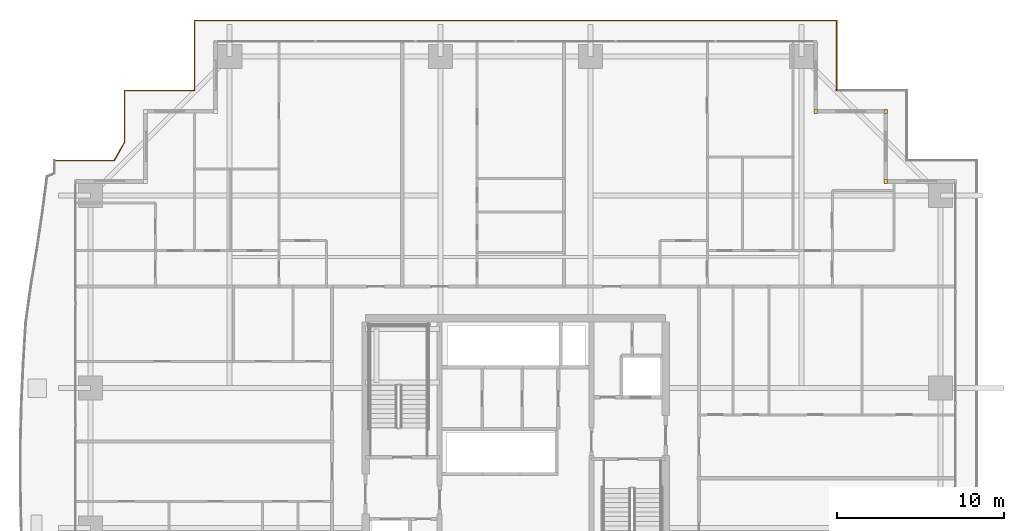
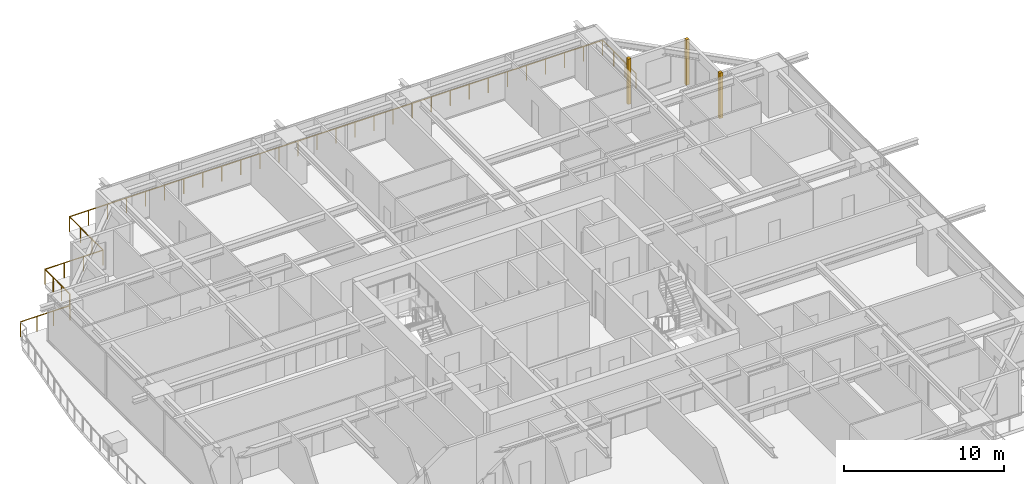
# One storey, part 39 of 39: 3 coverings, 1 railing.
"""IFC4 building model written with IfcOpenShell, lengths in metres."""

import ifcopenshell
import ifcopenshell.guid

model = None  # the IFC model being written
_history = None  # IfcOwnerHistory: only IFC2X3 demands one
_inside = {}  # id of a spatial element -> (the spatial element, [elements in it])
_under = {}  # id of a project, library or spatial element -> (it, [spatial elements below it])
_declared = {}  # id of a project -> (the project, [libraries it declares])
_typed = {}  # id of a type object -> (the type object, [elements of that type])
_made_of = {}  # id of a material, layer set ... -> (it, [elements and type objects made of it])


def new_model(schema):
    """Start an empty IFC model of exactly this schema.

    Asked for "IFC4X3", IfcOpenShell would pick the latest addendum, in which some entities
    have other attributes; the version numbers below select the first issue.
    IFC2X3 requires an IfcOwnerHistory on every rooted entity: one is made here for all.
    """
    global model, _history
    if schema == "IFC4X3":
        model = ifcopenshell.file(schema_version=(4, 3, 0, 0))
    else:
        model = ifcopenshell.file(schema=schema)
    _inside.clear()
    _under.clear()
    _declared.clear()
    _typed.clear()
    _made_of.clear()
    _history = None
    if model.schema == "IFC2X3":
        org = make("IfcOrganization", Name="unknown")
        user = make(
            "IfcPersonAndOrganization",
            ThePerson=make("IfcPerson", FamilyName="unknown"),
            TheOrganization=org,
        )
        app = make(
            "IfcApplication",
            ApplicationDeveloper=org,
            Version="unknown",
            ApplicationFullName="unknown",
            ApplicationIdentifier="unknown",
        )
        _history = make(
            "IfcOwnerHistory",
            OwningUser=user,
            OwningApplication=app,
            ChangeAction="ADDED",
            CreationDate=0,
        )
    return model


def make(cls, **values):
    """One entity of the class cls with the attributes given. An attribute that is None is left unset."""
    return model.create_entity(
        cls, **{name: value for name, value in values.items() if value is not None}
    )


def rooted(cls, **values):
    """An entity with a GlobalId (a new one), such as an element, a storey or a relation."""
    return make(cls, GlobalId=ifcopenshell.guid.new(), OwnerHistory=_history, **values)


def si_unit(unit_type, name, prefix=None):
    """IfcSIUnit, for example si_unit("LENGTHUNIT", "METRE", prefix="MILLI")."""
    return make("IfcSIUnit", UnitType=unit_type, Prefix=prefix, Name=name)


def assignment(units):
    """IfcUnitAssignment: the units of a project."""
    return None if units is None else make("IfcUnitAssignment", Units=units)


def point(xyz):
    """IfcCartesianPoint."""
    return None if xyz is None else make("IfcCartesianPoint", Coordinates=xyz)


def direction(xyz):
    """IfcDirection."""
    return None if xyz is None else make("IfcDirection", DirectionRatios=xyz)


def frame(location, z_axis=None, x_axis=None):
    """IfcAxis2Placement3D, a coordinate frame: its origin and axes. An axis left out is left unset."""
    return make(
        "IfcAxis2Placement3D",
        Location=point(location),
        Axis=direction(z_axis),
        RefDirection=direction(x_axis),
    )


def frame_2d(location, x_axis=None):
    """IfcAxis2Placement2D, a coordinate frame in the plane: its origin and x axis."""
    return make(
        "IfcAxis2Placement2D", Location=point(location), RefDirection=direction(x_axis)
    )


def origin():
    """The frame at (0, 0, 0) with its axes left unset."""
    return frame((0.0, 0.0, 0.0))


def origin_2d():
    """The frame at (0, 0) in the plane with its x axis left unset."""
    return frame_2d((0.0, 0.0))


def place(relative_to, where):
    """IfcLocalPlacement: puts the frame where relative to a parent placement (None: the world)."""
    return make(
        "IfcLocalPlacement", PlacementRelTo=relative_to, RelativePlacement=where
    )


def context(
    kind, dimensions, precision=None, world=None, true_north=None, identifier=None
):
    """IfcGeometricRepresentationContext, for example the 3D "Model" context."""
    return make(
        "IfcGeometricRepresentationContext",
        ContextIdentifier=identifier,
        ContextType=kind,
        CoordinateSpaceDimension=dimensions,
        Precision=precision,
        WorldCoordinateSystem=world,
        TrueNorth=true_north,
    )


def subcontext(parent, identifier, kind, view, scale=None):
    """IfcGeometricRepresentationSubContext, for example "Body" below "Model"."""
    return make(
        "IfcGeometricRepresentationSubContext",
        ContextIdentifier=identifier,
        ContextType=kind,
        ParentContext=parent,
        TargetScale=scale,
        TargetView=view,
    )


def project(units=None, contexts=None):
    """IfcProject with its units and contexts."""
    return rooted(
        "IfcProject",
        Name="project",
        RepresentationContexts=contexts,
        UnitsInContext=assignment(units),
    )


def spatial(cls, under=None, at=None, **own):
    """A site, building, storey or space (cls), placed at a placement, below another one or the project."""
    s = rooted(cls, ObjectPlacement=at, **own)
    if under is not None:
        _under.setdefault(under.id(), (under, []))[1].append(s)
    return s


def profile(cls, at=None, kind="AREA", **sizes):
    """A parametric profile (cls). Its sizes go by their IFC names, for example OverallWidth=200.0."""
    return make(cls, ProfileType=kind, Position=at, **sizes)


def rectangle(**sizes):
    """IfcRectangleProfileDef."""
    return profile("IfcRectangleProfileDef", **sizes)


def circle(**sizes):
    """IfcCircleProfileDef."""
    return profile("IfcCircleProfileDef", **sizes)


def extrude(swept, where, along, depth):
    """IfcExtrudedAreaSolid: the profile swept, set in the frame where, extruded along a direction by depth."""
    return make(
        "IfcExtrudedAreaSolid",
        SweptArea=swept,
        Position=where,
        ExtrudedDirection=direction(along),
        Depth=depth,
    )


def shape(context_of_items, identifier, shape_type, items):
    """IfcShapeRepresentation: the items that make up one representation, for example the "Body"."""
    return make(
        "IfcShapeRepresentation",
        ContextOfItems=context_of_items,
        RepresentationIdentifier=identifier,
        RepresentationType=shape_type,
        Items=items,
    )


def source(mapping_origin, context_of_items, identifier, shape_type, items):
    """IfcRepresentationMap: a shape defined once, which mapped items show again and again."""
    return make(
        "IfcRepresentationMap",
        MappingOrigin=mapping_origin,
        MappedRepresentation=shape(context_of_items, identifier, shape_type, items),
    )


def transform(
    local_origin,
    x_axis=None,
    y_axis=None,
    z_axis=None,
    scale=None,
    scale2=None,
    scale3=None,
    uniform=True,
):
    """IfcCartesianTransformationOperator3D, or its non-uniform kind. x_axis, y_axis, z_axis: its Axis1, 2, 3."""
    if uniform:
        return make(
            "IfcCartesianTransformationOperator3D",
            Axis1=direction(x_axis),
            Axis2=direction(y_axis),
            LocalOrigin=point(local_origin),
            Scale=scale,
            Axis3=direction(z_axis),
        )
    return make(
        "IfcCartesianTransformationOperator3DnonUniform",
        Axis1=direction(x_axis),
        Axis2=direction(y_axis),
        LocalOrigin=point(local_origin),
        Scale=scale,
        Axis3=direction(z_axis),
        Scale2=scale2,
        Scale3=scale3,
    )


def mapped(mapping_source, mapping_target):
    """IfcMappedItem: shows the shape of a source again, moved by a transform."""
    return make(
        "IfcMappedItem", MappingSource=mapping_source, MappingTarget=mapping_target
    )


def material(Name=None, Category=None):
    """IfcMaterial."""
    return make("IfcMaterial", Name=Name, Category=Category)


def layer(
    of_material, thickness, ventilated=None, Name=None, Category=None, Priority=None
):
    """IfcMaterialLayer: one layer of a wall or slab, of a material (None: an air gap)."""
    return make(
        "IfcMaterialLayer",
        Material=of_material,
        LayerThickness=thickness,
        IsVentilated=ventilated,
        Name=Name,
        Category=Category,
        Priority=Priority,
    )


def layer_set(layers, Name=None):
    """IfcMaterialLayerSet."""
    return make("IfcMaterialLayerSet", MaterialLayers=layers, LayerSetName=Name)


def made_of(thing, what):
    """Note that an element or type object is made of a material, layer set ...; save() writes the relation."""
    if what is not None:
        _made_of.setdefault(what.id(), (what, []))[1].append(thing)
    return thing


def type_object(cls, material=None, **own):
    """A type object (cls), such as IfcWallType, which elements share."""
    return made_of(rooted(cls, **own), material)


def element(
    cls,
    number,
    at=None,
    inside=None,
    cuts=None,
    type_object=None,
    material=None,
    context=None,
    identifier="Body",
    shape_type=None,
    held_by="IfcProductDefinitionShape",
    body=None,
    shapes=None,
    **own,
):
    """One element of the class cls, such as IfcWall. Its Tag is "e" and its number.

    at: its placement. inside: the storey or other place that contains it. cuts: it is an
    opening in that element (IfcRelVoidsElement). A single representation is given by context,
    identifier, shape_type and body (its items); several are given by shapes. held_by: the class
    of the entity that holds the representations. save() writes the other relations.
    """
    e = rooted(cls, Tag="e%d" % number, ObjectPlacement=at, **own)
    if body is not None:
        shapes = [shape(context, identifier, shape_type, body)]
    if shapes is not None:
        e.Representation = make(held_by, Representations=shapes)
    if inside is not None:
        _inside.setdefault(inside.id(), (inside, []))[1].append(e)
    if cuts is not None:
        rooted(
            "IfcRelVoidsElement", RelatingBuildingElement=cuts, RelatedOpeningElement=e
        )
    if type_object is not None:
        _typed.setdefault(type_object.id(), (type_object, []))[1].append(e)
    return made_of(e, material)


def aggregate(whole, parts):
    """IfcRelAggregates: a whole, such as a stair, and the parts it consists of."""
    return rooted("IfcRelAggregates", RelatingObject=whole, RelatedObjects=parts)


def save(model, path):
    """Write the relations noted so far, then the file.

    IfcRelAggregates (storeys below a building ...), IfcRelContainedInSpatialStructure (elements
    in a storey), IfcRelDefinesByType, IfcRelAssociatesMaterial and IfcRelDeclares: one each for
    every whole, place, type object, material and project.
    """
    for whole, parts in _under.values():
        aggregate(whole, parts)
    for where, things in _inside.values():
        rooted(
            "IfcRelContainedInSpatialStructure",
            RelatedElements=things,
            RelatingStructure=where,
        )
    for kind, things in _typed.values():
        rooted("IfcRelDefinesByType", RelatedObjects=things, RelatingType=kind)
    for what, things in _made_of.values():
        rooted("IfcRelAssociatesMaterial", RelatedObjects=things, RelatingMaterial=what)
    for by, libraries in _declared.values():
        rooted("IfcRelDeclares", RelatingContext=by, RelatedDefinitions=libraries)
    model.write(path)


model = new_model("IFC4")

# Units and contexts
model_context = context("Model", 3, precision=1e-05, world=origin(), true_north=direction((0.0, 1.0)))
body_context = subcontext(model_context, "Body", "Model", "MODEL_VIEW")
ifc_project = project(units=[si_unit("LENGTHUNIT", "METRE"), si_unit("AREAUNIT", "SQUARE_METRE"), si_unit("VOLUMEUNIT", "CUBIC_METRE"), si_unit("PLANEANGLEUNIT", "RADIAN"), si_unit("MASSUNIT", "GRAM", prefix="KILO")], contexts=[model_context])

# Site, building, storey
site_placement = place(None, origin())
site = spatial("IfcSite", under=ifc_project, at=site_placement, CompositionType="ELEMENT")
building_placement = place(site_placement, origin())
building = spatial("IfcBuilding", under=site, at=building_placement, Name="Serunith Strait Residences", CompositionType="ELEMENT")
storey_placement = place(building_placement, frame((0.0, 0.0, 60.449951171875)))
storey = spatial("IfcBuildingStorey", under=building, at=storey_placement, Name="L14", CompositionType="ELEMENT", Elevation=60.449951171875)

# Railing
ifc_material_1 = material(Name="Stainless Steel & Laminated Glass Balustrade", Category="steel")
railing_type = type_object("IfcRailingType", Name="RLG-BALC-1150", PredefinedType="BALUSTRADE", material=ifc_material_1)
railing_placement = place(storey_placement, frame((4.739990234375, 43.06005859375, -0.050048828125)))
element("IfcRailing", 1, at=railing_placement, inside=storey, type_object=railing_type, Name="L14 Swirling Balcony Perimeter Balustrade 4", PredefinedType="BALUSTRADE", context=body_context, shape_type="SweptSolid", body=[
    extrude(circle(Radius=0.02392578125, at=origin_2d()), frame((0.001953125, 0.0, 1.1259765625), z_axis=(1.0, 0.0, 0.0), x_axis=(0.0, 1.0, 0.0)), (0.0, 0.0, 1.0), 3.57763671875),
    extrude(circle(Radius=0.02392578125, at=origin_2d()), frame((3.58251953125, 0.001708984375, 1.1259765625), z_axis=(0.494016109203, 0.869452749635, 0.0), x_axis=(-0.869452749635, 0.494016109203, 0.0)), (0.0, 0.0, 1.0), 1.247802734375),
    extrude(circle(Radius=0.02392578125, at=origin_2d()), frame((4.199951171875, 1.09033203125, 1.1259765625), z_axis=(0.0, 1.0, 0.0), x_axis=(-1.0, 0.0, 0.0)), (0.0, 0.0, 1.0), 3.107666015625),
    extrude(circle(Radius=0.02392578125, at=origin_2d()), frame((4.201904296875, 4.199951171875, 1.1259765625), z_axis=(1.0, 0.0, 0.0), x_axis=(0.0, 1.0, 0.0)), (0.0, 0.0, 1.0), 4.196044921875),
    extrude(circle(Radius=0.02392578125, at=origin_2d()), frame((8.39990234375, 4.201904296875, 1.1259765625), z_axis=(0.0, 1.0, 0.0), x_axis=(-1.0, 0.0, 0.0)), (0.0, 0.0, 1.0), 4.196044921875),
    extrude(circle(Radius=0.02392578125, at=origin_2d()), frame((8.40185546875, 8.39990234375, 1.1259765625), z_axis=(1.0, 0.0, 0.0), x_axis=(0.0, 1.0, 0.0)), (0.0, 0.0, 1.0), 38.51611328125),
    extrude(circle(Radius=0.02392578125, at=origin_2d()), frame((46.919921875, 8.39794921875, 1.1259765625), z_axis=(0.0, -1.0, 0.0), x_axis=(1.0, 0.0, 0.0)), (0.0, 0.0, 1.0), 4.196044921875),
    extrude(circle(Radius=0.02099609375, at=origin_2d()), origin(), (0.0, 0.0, 1.0), 1.099853515625),
    extrude(circle(Radius=0.02099609375, at=origin_2d()), frame((1.19384765625, 0.0, 0.0)), (0.0, 0.0, 1.0), 1.099853515625),
    extrude(circle(Radius=0.02099609375, at=origin_2d()), frame((2.3876953125, 0.0, 0.0)), (0.0, 0.0, 1.0), 1.099853515625),
    extrude(circle(Radius=0.02099609375, at=origin_2d()), frame((3.58154296875, 0.0, 0.0)), (0.0, 0.0, 1.0), 1.099853515625),
    extrude(circle(Radius=0.02099609375, at=origin_2d()), frame((4.199951171875, 1.08837890625, 0.0)), (0.0, 0.0, 1.0), 1.099853515625),
    extrude(circle(Radius=0.02099609375, at=origin_2d()), frame((4.199951171875, 2.12548828125, 0.0)), (0.0, 0.0, 1.0), 1.099853515625),
    extrude(circle(Radius=0.02099609375, at=origin_2d()), frame((4.199951171875, 3.162841796875, 0.0)), (0.0, 0.0, 1.0), 1.099853515625),
    extrude(circle(Radius=0.02099609375, at=origin_2d()), frame((4.199951171875, 4.199951171875, 0.0)), (0.0, 0.0, 1.0), 1.099853515625),
    extrude(circle(Radius=0.02099609375, at=origin_2d()), frame((5.599853515625, 4.199951171875, 0.0)), (0.0, 0.0, 1.0), 1.099853515625),
    extrude(circle(Radius=0.02099609375, at=origin_2d()), frame((7.0, 4.199951171875, 0.0)), (0.0, 0.0, 1.0), 1.099853515625),
    extrude(circle(Radius=0.02099609375, at=origin_2d()), frame((8.39990234375, 4.199951171875, 0.0)), (0.0, 0.0, 1.0), 1.099853515625),
    extrude(circle(Radius=0.02099609375, at=origin_2d()), frame((8.39990234375, 5.599853515625, 0.0)), (0.0, 0.0, 1.0), 1.099853515625),
    extrude(circle(Radius=0.02099609375, at=origin_2d()), frame((8.39990234375, 7.0, 0.0)), (0.0, 0.0, 1.0), 1.099853515625),
    extrude(circle(Radius=0.02099609375, at=origin_2d()), frame((8.39990234375, 8.39990234375, 0.0)), (0.0, 0.0, 1.0), 1.099853515625),
    extrude(circle(Radius=0.02099609375, at=origin_2d()), frame((9.775634765625, 8.39990234375, 0.0)), (0.0, 0.0, 1.0), 1.099853515625),
    extrude(circle(Radius=0.02099609375, at=origin_2d()), frame((11.1513671875, 8.39990234375, 0.0)), (0.0, 0.0, 1.0), 1.099853515625),
    extrude(circle(Radius=0.02099609375, at=origin_2d()), frame((12.527099609375, 8.39990234375, 0.0)), (0.0, 0.0, 1.0), 1.099853515625),
    extrude(circle(Radius=0.02099609375, at=origin_2d()), frame((13.90283203125, 8.39990234375, 0.0)), (0.0, 0.0, 1.0), 1.099853515625),
    extrude(circle(Radius=0.02099609375, at=origin_2d()), frame((15.278564453125, 8.39990234375, 0.0)), (0.0, 0.0, 1.0), 1.099853515625),
    extrude(circle(Radius=0.02099609375, at=origin_2d()), frame((16.654296875, 8.39990234375, 0.0)), (0.0, 0.0, 1.0), 1.099853515625),
    extrude(circle(Radius=0.02099609375, at=origin_2d()), frame((18.02978515625, 8.39990234375, 0.0)), (0.0, 0.0, 1.0), 1.099853515625),
    extrude(circle(Radius=0.02099609375, at=origin_2d()), frame((19.405517578125, 8.39990234375, 0.0)), (0.0, 0.0, 1.0), 1.099853515625),
    extrude(circle(Radius=0.02099609375, at=origin_2d()), frame((20.78125, 8.39990234375, 0.0)), (0.0, 0.0, 1.0), 1.099853515625),
    extrude(circle(Radius=0.02099609375, at=origin_2d()), frame((22.156982421875, 8.39990234375, 0.0)), (0.0, 0.0, 1.0), 1.099853515625),
    extrude(circle(Radius=0.02099609375, at=origin_2d()), frame((23.53271484375, 8.39990234375, 0.0)), (0.0, 0.0, 1.0), 1.099853515625),
    extrude(circle(Radius=0.02099609375, at=origin_2d()), frame((24.908447265625, 8.39990234375, 0.0)), (0.0, 0.0, 1.0), 1.099853515625),
    extrude(circle(Radius=0.02099609375, at=origin_2d()), frame((26.2841796875, 8.39990234375, 0.0)), (0.0, 0.0, 1.0), 1.099853515625),
    extrude(circle(Radius=0.02099609375, at=origin_2d()), frame((27.659912109375, 8.39990234375, 0.0)), (0.0, 0.0, 1.0), 1.099853515625),
    extrude(circle(Radius=0.02099609375, at=origin_2d()), frame((29.03564453125, 8.39990234375, 0.0)), (0.0, 0.0, 1.0), 1.099853515625),
    extrude(circle(Radius=0.02099609375, at=origin_2d()), frame((30.411376953125, 8.39990234375, 0.0)), (0.0, 0.0, 1.0), 1.099853515625),
    extrude(circle(Radius=0.02099609375, at=origin_2d()), frame((31.787109375, 8.39990234375, 0.0)), (0.0, 0.0, 1.0), 1.099853515625),
    extrude(circle(Radius=0.02099609375, at=origin_2d()), frame((33.162841796875, 8.39990234375, 0.0)), (0.0, 0.0, 1.0), 1.099853515625),
    extrude(circle(Radius=0.02099609375, at=origin_2d()), frame((34.53857421875, 8.39990234375, 0.0)), (0.0, 0.0, 1.0), 1.099853515625),
    extrude(circle(Radius=0.02099609375, at=origin_2d()), frame((35.914306640625, 8.39990234375, 0.0)), (0.0, 0.0, 1.0), 1.099853515625),
    extrude(circle(Radius=0.02099609375, at=origin_2d()), frame((37.2900390625, 8.39990234375, 0.0)), (0.0, 0.0, 1.0), 1.099853515625),
    extrude(circle(Radius=0.02099609375, at=origin_2d()), frame((38.66552734375, 8.39990234375, 0.0)), (0.0, 0.0, 1.0), 1.099853515625),
    extrude(circle(Radius=0.02099609375, at=origin_2d()), frame((40.041259765625, 8.39990234375, 0.0)), (0.0, 0.0, 1.0), 1.099853515625),
    extrude(circle(Radius=0.02099609375, at=origin_2d()), frame((41.4169921875, 8.39990234375, 0.0)), (0.0, 0.0, 1.0), 1.099853515625),
    extrude(circle(Radius=0.02099609375, at=origin_2d()), frame((42.792724609375, 8.39990234375, 0.0)), (0.0, 0.0, 1.0), 1.099853515625),
    extrude(circle(Radius=0.02099609375, at=origin_2d()), frame((44.16845703125, 8.39990234375, 0.0)), (0.0, 0.0, 1.0), 1.099853515625),
    extrude(circle(Radius=0.02099609375, at=origin_2d()), frame((45.544189453125, 8.39990234375, 0.0)), (0.0, 0.0, 1.0), 1.099853515625),
    extrude(circle(Radius=0.02099609375, at=origin_2d()), frame((46.919921875, 8.39990234375, 0.0)), (0.0, 0.0, 1.0), 1.099853515625),
    extrude(circle(Radius=0.02099609375, at=origin_2d()), frame((46.919921875, 7.0, 0.0)), (0.0, 0.0, 1.0), 1.099853515625),
    extrude(circle(Radius=0.02099609375, at=origin_2d()), frame((46.919921875, 5.599853515625, 0.0)), (0.0, 0.0, 1.0), 1.099853515625),
    extrude(circle(Radius=0.02099609375, at=origin_2d()), frame((46.919921875, 4.199951171875, 0.0)), (0.0, 0.0, 1.0), 1.099853515625),
])

# Coverings
ifc_material_2 = material(Name="Pale-Champagne Anodised Aluminium", Category="aluminium")
ifc_layer = layer(ifc_material_2, 0.219970703125, Name="Pale-Champagne Anodised Aluminium")
ifc_layer_set = layer_set([ifc_layer], Name="Pale-Champagne Anodised Aluminium")
covering_type = type_object("IfcCoveringType", Name="COV-CORN-TRIM", PredefinedType="CLADDING", material=ifc_layer_set)
shared_shape = source(origin(), body_context, "Body", "SweptSolid", [
    extrude(rectangle(XDim=0.221923828125, YDim=0.221923828125, at=origin_2d()), origin(), (0.0, 0.0, 1.0), 3.47509765625),
])
for number, where, z_axis, x_axis, name in (
    (2, (54.60009765625, 41.800048828125, 0.0), (0.0, 0.0, 1.0), (1.0, 0.0, 0.0), "L14 Girih Serrated Corner Trim Post 07"),
    (3, (54.60009765625, 46.0, 0.0), (0.0, 0.0, 1.0), (1.0, 0.0, 0.0), "L14 Girih Serrated Corner Trim Post 08"),
    (4, (50.39990234375, 46.0, 0.0), (0.0, 0.0, 1.0), (1.0, 0.0, 0.0), "L14 Girih Serrated Corner Trim Post 09"),
):
    element("IfcCovering", number, at=place(storey_placement, frame(where, z_axis=z_axis, x_axis=x_axis)), inside=storey, type_object=covering_type, Name=name, PredefinedType="CLADDING", context=body_context, shape_type="MappedRepresentation", body=[
        mapped(shared_shape, transform((0.0, 0.0, 0.0), scale=1.0)),
    ])

save(model, "model.ifc")
